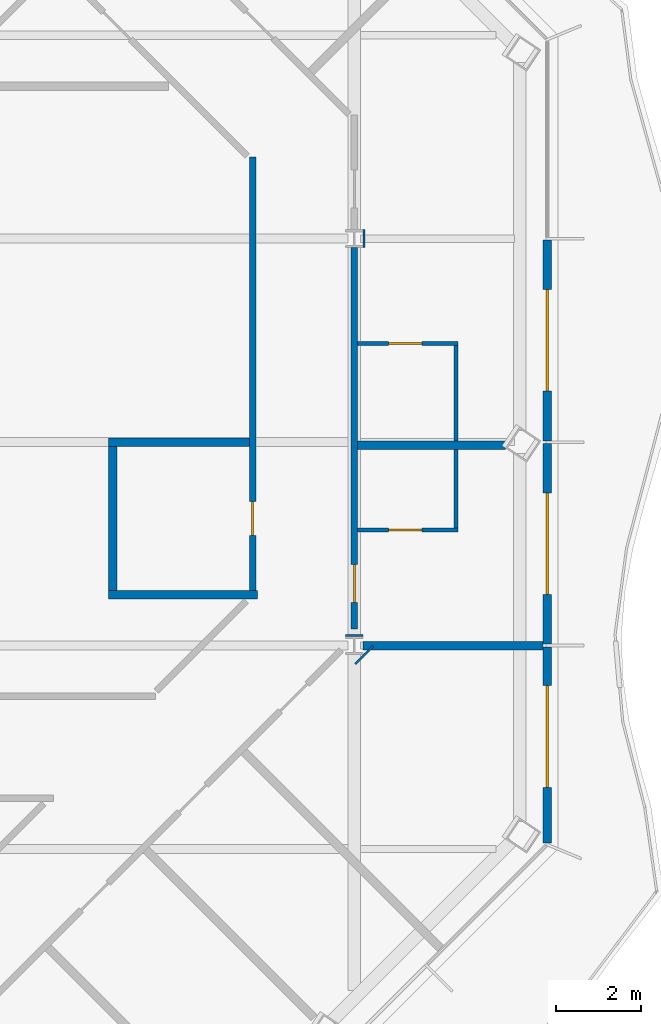
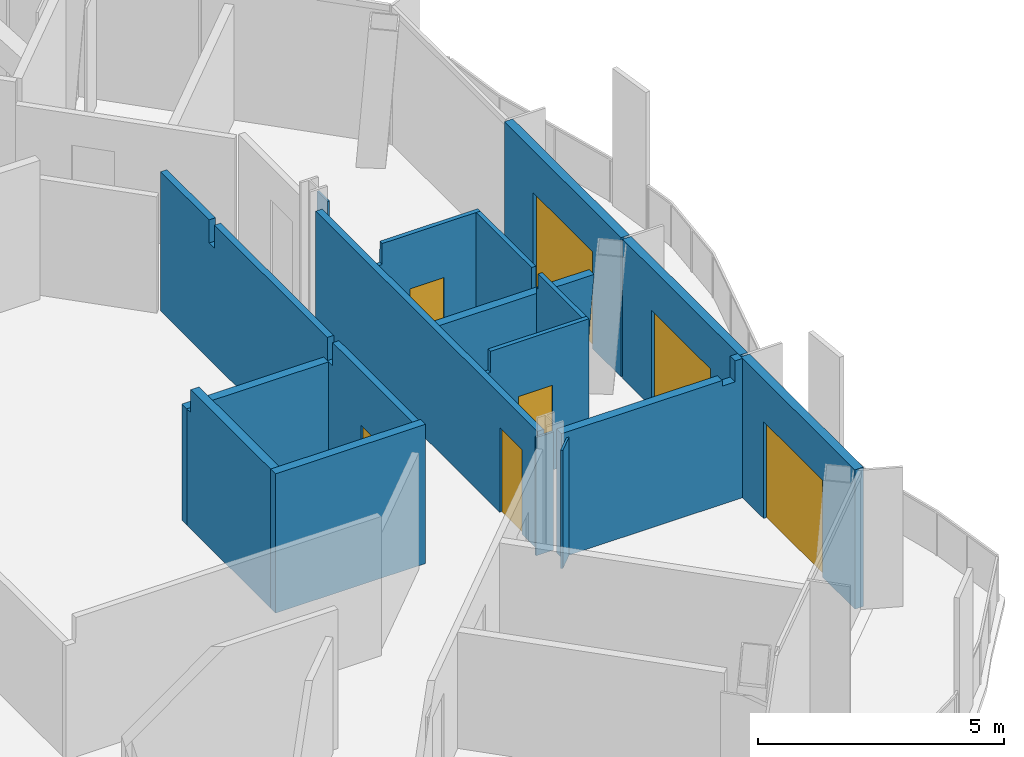
# One storey, part 11 of 21: 17 walls, 7 doors, 7 openings.
"""IFC4 building model written with IfcOpenShell, lengths in metres."""

import ifcopenshell
import ifcopenshell.guid

model = None  # the IFC model being written
_history = None  # IfcOwnerHistory: only IFC2X3 demands one
_inside = {}  # id of a spatial element -> (the spatial element, [elements in it])
_under = {}  # id of a project, library or spatial element -> (it, [spatial elements below it])
_declared = {}  # id of a project -> (the project, [libraries it declares])
_typed = {}  # id of a type object -> (the type object, [elements of that type])
_made_of = {}  # id of a material, layer set ... -> (it, [elements and type objects made of it])


def new_model(schema):
    """Start an empty IFC model of exactly this schema.

    Asked for "IFC4X3", IfcOpenShell would pick the latest addendum, in which some entities
    have other attributes; the version numbers below select the first issue.
    IFC2X3 requires an IfcOwnerHistory on every rooted entity: one is made here for all.
    """
    global model, _history
    if schema == "IFC4X3":
        model = ifcopenshell.file(schema_version=(4, 3, 0, 0))
    else:
        model = ifcopenshell.file(schema=schema)
    _inside.clear()
    _under.clear()
    _declared.clear()
    _typed.clear()
    _made_of.clear()
    _history = None
    if model.schema == "IFC2X3":
        org = make("IfcOrganization", Name="unknown")
        user = make(
            "IfcPersonAndOrganization",
            ThePerson=make("IfcPerson", FamilyName="unknown"),
            TheOrganization=org,
        )
        app = make(
            "IfcApplication",
            ApplicationDeveloper=org,
            Version="unknown",
            ApplicationFullName="unknown",
            ApplicationIdentifier="unknown",
        )
        _history = make(
            "IfcOwnerHistory",
            OwningUser=user,
            OwningApplication=app,
            ChangeAction="ADDED",
            CreationDate=0,
        )
    return model


def make(cls, **values):
    """One entity of the class cls with the attributes given. An attribute that is None is left unset."""
    return model.create_entity(
        cls, **{name: value for name, value in values.items() if value is not None}
    )


def rooted(cls, **values):
    """An entity with a GlobalId (a new one), such as an element, a storey or a relation."""
    return make(cls, GlobalId=ifcopenshell.guid.new(), OwnerHistory=_history, **values)


def si_unit(unit_type, name, prefix=None):
    """IfcSIUnit, for example si_unit("LENGTHUNIT", "METRE", prefix="MILLI")."""
    return make("IfcSIUnit", UnitType=unit_type, Prefix=prefix, Name=name)


def assignment(units):
    """IfcUnitAssignment: the units of a project."""
    return None if units is None else make("IfcUnitAssignment", Units=units)


def point(xyz):
    """IfcCartesianPoint."""
    return None if xyz is None else make("IfcCartesianPoint", Coordinates=xyz)


def direction(xyz):
    """IfcDirection."""
    return None if xyz is None else make("IfcDirection", DirectionRatios=xyz)


def frame(location, z_axis=None, x_axis=None):
    """IfcAxis2Placement3D, a coordinate frame: its origin and axes. An axis left out is left unset."""
    return make(
        "IfcAxis2Placement3D",
        Location=point(location),
        Axis=direction(z_axis),
        RefDirection=direction(x_axis),
    )


def frame_2d(location, x_axis=None):
    """IfcAxis2Placement2D, a coordinate frame in the plane: its origin and x axis."""
    return make(
        "IfcAxis2Placement2D", Location=point(location), RefDirection=direction(x_axis)
    )


def origin():
    """The frame at (0, 0, 0) with its axes left unset."""
    return frame((0.0, 0.0, 0.0))


def place(relative_to, where):
    """IfcLocalPlacement: puts the frame where relative to a parent placement (None: the world)."""
    return make(
        "IfcLocalPlacement", PlacementRelTo=relative_to, RelativePlacement=where
    )


def context(
    kind, dimensions, precision=None, world=None, true_north=None, identifier=None
):
    """IfcGeometricRepresentationContext, for example the 3D "Model" context."""
    return make(
        "IfcGeometricRepresentationContext",
        ContextIdentifier=identifier,
        ContextType=kind,
        CoordinateSpaceDimension=dimensions,
        Precision=precision,
        WorldCoordinateSystem=world,
        TrueNorth=true_north,
    )


def subcontext(parent, identifier, kind, view, scale=None):
    """IfcGeometricRepresentationSubContext, for example "Body" below "Model"."""
    return make(
        "IfcGeometricRepresentationSubContext",
        ContextIdentifier=identifier,
        ContextType=kind,
        ParentContext=parent,
        TargetScale=scale,
        TargetView=view,
    )


def project(units=None, contexts=None):
    """IfcProject with its units and contexts."""
    return rooted(
        "IfcProject",
        Name="project",
        RepresentationContexts=contexts,
        UnitsInContext=assignment(units),
    )


def spatial(cls, under=None, at=None, **own):
    """A site, building, storey or space (cls), placed at a placement, below another one or the project."""
    s = rooted(cls, ObjectPlacement=at, **own)
    if under is not None:
        _under.setdefault(under.id(), (under, []))[1].append(s)
    return s


def polyline(points):
    """IfcPolyline through the points."""
    return make("IfcPolyline", Points=[point(p) for p in points])


def profile(cls, at=None, kind="AREA", **sizes):
    """A parametric profile (cls). Its sizes go by their IFC names, for example OverallWidth=200.0."""
    return make(cls, ProfileType=kind, Position=at, **sizes)


def rectangle(**sizes):
    """IfcRectangleProfileDef."""
    return profile("IfcRectangleProfileDef", **sizes)


def outline(outer, holes=None, kind="AREA"):
    """IfcArbitraryClosedProfileDef: a profile drawn as a closed curve; with holes, ...WithVoids."""
    if holes is None:
        return make("IfcArbitraryClosedProfileDef", ProfileType=kind, OuterCurve=outer)
    return make(
        "IfcArbitraryProfileDefWithVoids",
        ProfileType=kind,
        OuterCurve=outer,
        InnerCurves=holes,
    )


def extrude(swept, where, along, depth):
    """IfcExtrudedAreaSolid: the profile swept, set in the frame where, extruded along a direction by depth."""
    return make(
        "IfcExtrudedAreaSolid",
        SweptArea=swept,
        Position=where,
        ExtrudedDirection=direction(along),
        Depth=depth,
    )


def shape(context_of_items, identifier, shape_type, items):
    """IfcShapeRepresentation: the items that make up one representation, for example the "Body"."""
    return make(
        "IfcShapeRepresentation",
        ContextOfItems=context_of_items,
        RepresentationIdentifier=identifier,
        RepresentationType=shape_type,
        Items=items,
    )


def material(Name=None, Category=None):
    """IfcMaterial."""
    return make("IfcMaterial", Name=Name, Category=Category)


def layer(
    of_material, thickness, ventilated=None, Name=None, Category=None, Priority=None
):
    """IfcMaterialLayer: one layer of a wall or slab, of a material (None: an air gap)."""
    return make(
        "IfcMaterialLayer",
        Material=of_material,
        LayerThickness=thickness,
        IsVentilated=ventilated,
        Name=Name,
        Category=Category,
        Priority=Priority,
    )


def layer_set(layers, Name=None):
    """IfcMaterialLayerSet."""
    return make("IfcMaterialLayerSet", MaterialLayers=layers, LayerSetName=Name)


def made_of(thing, what):
    """Note that an element or type object is made of a material, layer set ...; save() writes the relation."""
    if what is not None:
        _made_of.setdefault(what.id(), (what, []))[1].append(thing)
    return thing


def type_object(cls, material=None, **own):
    """A type object (cls), such as IfcWallType, which elements share."""
    return made_of(rooted(cls, **own), material)


def element(
    cls,
    number,
    at=None,
    inside=None,
    cuts=None,
    type_object=None,
    material=None,
    context=None,
    identifier="Body",
    shape_type=None,
    held_by="IfcProductDefinitionShape",
    body=None,
    shapes=None,
    **own,
):
    """One element of the class cls, such as IfcWall. Its Tag is "e" and its number.

    at: its placement. inside: the storey or other place that contains it. cuts: it is an
    opening in that element (IfcRelVoidsElement). A single representation is given by context,
    identifier, shape_type and body (its items); several are given by shapes. held_by: the class
    of the entity that holds the representations. save() writes the other relations.
    """
    e = rooted(cls, Tag="e%d" % number, ObjectPlacement=at, **own)
    if body is not None:
        shapes = [shape(context, identifier, shape_type, body)]
    if shapes is not None:
        e.Representation = make(held_by, Representations=shapes)
    if inside is not None:
        _inside.setdefault(inside.id(), (inside, []))[1].append(e)
    if cuts is not None:
        rooted(
            "IfcRelVoidsElement", RelatingBuildingElement=cuts, RelatedOpeningElement=e
        )
    if type_object is not None:
        _typed.setdefault(type_object.id(), (type_object, []))[1].append(e)
    return made_of(e, material)


def fill(opening, filler):
    """IfcRelFillsElement: the door or window that sits in an opening."""
    return rooted(
        "IfcRelFillsElement",
        RelatingOpeningElement=opening,
        RelatedBuildingElement=filler,
    )


def aggregate(whole, parts):
    """IfcRelAggregates: a whole, such as a stair, and the parts it consists of."""
    return rooted("IfcRelAggregates", RelatingObject=whole, RelatedObjects=parts)


def save(model, path):
    """Write the relations noted so far, then the file.

    IfcRelAggregates (storeys below a building ...), IfcRelContainedInSpatialStructure (elements
    in a storey), IfcRelDefinesByType, IfcRelAssociatesMaterial and IfcRelDeclares: one each for
    every whole, place, type object, material and project.
    """
    for whole, parts in _under.values():
        aggregate(whole, parts)
    for where, things in _inside.values():
        rooted(
            "IfcRelContainedInSpatialStructure",
            RelatedElements=things,
            RelatingStructure=where,
        )
    for kind, things in _typed.values():
        rooted("IfcRelDefinesByType", RelatedObjects=things, RelatingType=kind)
    for what, things in _made_of.values():
        rooted("IfcRelAssociatesMaterial", RelatedObjects=things, RelatingMaterial=what)
    for by, libraries in _declared.values():
        rooted("IfcRelDeclares", RelatingContext=by, RelatedDefinitions=libraries)
    model.write(path)


model = new_model("IFC4")

# Units and contexts
model_context = context("Model", 3, precision=1e-05, world=origin(), true_north=direction((0.0, 1.0)))
body_context = subcontext(model_context, "Body", "Model", "MODEL_VIEW")
ifc_project = project(units=[si_unit("LENGTHUNIT", "METRE"), si_unit("AREAUNIT", "SQUARE_METRE"), si_unit("VOLUMEUNIT", "CUBIC_METRE"), si_unit("PLANEANGLEUNIT", "RADIAN"), si_unit("MASSUNIT", "GRAM", prefix="KILO")], contexts=[model_context])

# Site, building, storey
site_placement = place(None, origin())
site = spatial("IfcSite", under=ifc_project, at=site_placement, CompositionType="ELEMENT")
building_placement = place(site_placement, origin())
building = spatial("IfcBuilding", under=site, at=building_placement, Name="Cairn Pilgrim Tower", CompositionType="ELEMENT")
storey_placement = place(building_placement, frame((0.0, 0.0, 172.199951171875)))
storey = spatial("IfcBuildingStorey", under=building, at=storey_placement, Name="L43", CompositionType="ELEMENT", Elevation=172.199951171875)

# Wall, opening, door
ifc_material_1 = material(Name="Bronze anodised aluminium insulated sandwich panel with mineral wool fill", Category="aluminium")
ifc_layer_1 = layer(ifc_material_1, 0.199951171875)
ifc_layer_set_1 = layer_set([ifc_layer_1], Name="BRONZE INFILL FRAME WALL 200")
wall_type_1 = type_object("IfcWallType", Name="BRONZE INFILL FRAME WALL 200", PredefinedType="NOTDEFINED", material=ifc_layer_set_1)
wall_1_placement = place(storey_placement, frame((35.75, -4.656494140625, 0.0), z_axis=(0.0, 0.0, 1.0), x_axis=(0.0, 1.0, 0.0)))
wall_1 = element("IfcWall", 1, at=wall_1_placement, inside=storey, type_object=wall_type_1, Name="Bronze infill frame wall IW-E1", PredefinedType="NOTDEFINED", context=body_context, shape_type="SweptSolid", body=[
    extrude(rectangle(XDim=4.62646484375, YDim=0.199951171875, at=frame_2d((2.313232421875, 0.0))), origin(), (0.0, 0.0, 1.0), 3.449951171875),
])
opening_1_placement = place(wall_1_placement, frame((1.308349609375, 0.0, 0.0)))
opening_1 = element("IfcOpeningElement", 2, at=opening_1_placement, cuts=wall_1, Name="Opening 4307B", PredefinedType="OPENING", context=body_context, shape_type="SweptSolid", body=[
    extrude(rectangle(XDim=2.39990234375, YDim=2.39990234375, at=frame_2d((1.199951171875, 1.199951171875))), frame((0.0, 0.10986328125, 0.0), z_axis=(0.0, -1.0, 0.0), x_axis=(1.0, 0.0, 0.0)), (0.0, 0.0, 1.0), 0.219970703125),
])
ifc_material_2 = material(Name="Bronze anodised aluminium frame with tinted low-E glass", Category="aluminium")
door_type_1 = type_object("IfcDoorType", Name="BALCONY SLIDING DOOR 2400x2400", OperationType="DOUBLE_DOOR_SLIDING", PredefinedType="DOOR", material=ifc_material_2)
door_1_placement = place(opening_1_placement, origin())
door_1 = element("IfcDoor", 3, at=door_1_placement, inside=storey, type_object=door_type_1, Name="Balcony sliding door 4307B", OperationType="SINGLE_SWING_LEFT", OverallHeight=2.39990234375, OverallWidth=2.39990234375, PredefinedType="DOOR", context=body_context, shape_type="SweptSolid", body=[
    extrude(rectangle(XDim=2.39990234375, YDim=2.39990234375, at=frame_2d((1.199951171875, 1.199951171875))), frame((0.0, 0.02490234375, 0.0), z_axis=(0.0, -1.0, 0.0), x_axis=(1.0, 0.0, 0.0)), (0.0, 0.0, 1.0), 0.050048828125),
])
fill(opening_1, door_1)

wall_2_placement = place(storey_placement, frame((35.75, 0.030029296875, 0.0), z_axis=(0.0, 0.0, 1.0), x_axis=(0.0, 1.0, 0.0)))
wall_2 = element("IfcWall", 4, at=wall_2_placement, inside=storey, type_object=wall_type_1, Name="Bronze infill frame wall IW-E2", PredefinedType="NOTDEFINED", context=body_context, shape_type="SweptSolid", body=[
    extrude(rectangle(XDim=4.739990234375, YDim=0.199951171875, at=frame_2d((2.3701171875, 0.0))), origin(), (0.0, 0.0, 1.0), 3.449951171875),
])
opening_2_placement = place(wall_2_placement, frame((1.169921875, 0.0, 0.0)))
opening_2 = element("IfcOpeningElement", 5, at=opening_2_placement, cuts=wall_2, Name="Opening 4308B", PredefinedType="OPENING", context=body_context, shape_type="SweptSolid", body=[
    extrude(rectangle(XDim=2.39990234375, YDim=2.39990234375, at=frame_2d((1.199951171875, 1.199951171875))), frame((0.0, 0.10986328125, 0.0), z_axis=(0.0, -1.0, 0.0), x_axis=(1.0, 0.0, 0.0)), (0.0, 0.0, 1.0), 0.219970703125),
])
door_2_placement = place(opening_2_placement, origin())
door_2 = element("IfcDoor", 6, at=door_2_placement, inside=storey, type_object=door_type_1, Name="Balcony sliding door 4308B", OperationType="SINGLE_SWING_LEFT", OverallHeight=2.39990234375, OverallWidth=2.39990234375, PredefinedType="DOOR", context=body_context, shape_type="SweptSolid", body=[
    extrude(rectangle(XDim=2.39990234375, YDim=2.39990234375, at=frame_2d((1.199951171875, 1.199951171875))), frame((0.0, 0.02490234375, 0.0), z_axis=(0.0, -1.0, 0.0), x_axis=(1.0, 0.0, 0.0)), (0.0, 0.0, 1.0), 0.050048828125),
])
fill(opening_2, door_2)

wall_3_placement = place(storey_placement, frame((35.75, 4.830078125, 0.0), z_axis=(0.0, 0.0, 1.0), x_axis=(0.0, 1.0, 0.0)))
wall_3 = element("IfcWall", 7, at=wall_3_placement, inside=storey, type_object=wall_type_1, Name="Bronze infill frame wall IW-E3", PredefinedType="NOTDEFINED", context=body_context, shape_type="SweptSolid", body=[
    extrude(rectangle(XDim=4.739990234375, YDim=0.199951171875, at=frame_2d((2.3701171875, 0.0))), origin(), (0.0, 0.0, 1.0), 3.449951171875),
])
opening_3_placement = place(wall_3_placement, frame((1.169921875, 0.0, 0.0)))
opening_3 = element("IfcOpeningElement", 8, at=opening_3_placement, cuts=wall_3, Name="Opening 4309B", PredefinedType="OPENING", context=body_context, shape_type="SweptSolid", body=[
    extrude(rectangle(XDim=2.39990234375, YDim=2.39990234375, at=frame_2d((1.199951171875, 1.199951171875))), frame((0.0, 0.10986328125, 0.0), z_axis=(0.0, -1.0, 0.0), x_axis=(1.0, 0.0, 0.0)), (0.0, 0.0, 1.0), 0.219970703125),
])
door_3_placement = place(opening_3_placement, origin())
door_3 = element("IfcDoor", 9, at=door_3_placement, inside=storey, type_object=door_type_1, Name="Balcony sliding door 4309B", OperationType="SINGLE_SWING_LEFT", OverallHeight=2.39990234375, OverallWidth=2.39990234375, PredefinedType="DOOR", context=body_context, shape_type="SweptSolid", body=[
    extrude(rectangle(XDim=2.39990234375, YDim=2.39990234375, at=frame_2d((1.199951171875, 1.199951171875))), frame((0.0, 0.02490234375, 0.0), z_axis=(0.0, -1.0, 0.0), x_axis=(1.0, 0.0, 0.0)), (0.0, 0.0, 1.0), 0.050048828125),
])
fill(opening_3, door_3)

ifc_material_3 = material(Name="Gypsum partition")
ifc_layer_2 = layer(ifc_material_3, 0.10009765625)
ifc_layer_set_2 = layer_set([ifc_layer_2], Name="PARTITION 100 DRYWALL")
wall_type_2 = type_object("IfcWallType", Name="PARTITION 100 DRYWALL", PredefinedType="PARTITIONING", material=ifc_layer_set_2)
wall_4_placement = place(storey_placement, frame((31.27490234375, 2.72509765625, 0.0), z_axis=(0.0, 0.0, 1.0), x_axis=(1.0, 0.0, 0.0)))
wall_4 = element("IfcWall", 10, at=wall_4_placement, inside=storey, type_object=wall_type_2, Name="PARTITION W063", PredefinedType="PARTITIONING", context=body_context, shape_type="SweptSolid", body=[
    extrude(outline(polyline([(0.0, 0.0), (2.375, 0.0), (2.375, 3.449951171875), (0.074951171875, 3.449951171875), (0.072998046875, 2.929931640625), (0.0, 2.929931640625), (0.0, 0.0)])), frame((0.0, 0.050048828125, 0.0), z_axis=(0.0, -1.0, 0.0), x_axis=(1.0, 0.0, 0.0)), (0.0, 0.0, 1.0), 0.10009765625),
])
opening_4_placement = place(wall_4_placement, frame((0.72509765625, 0.0, 0.0)))
opening_4 = element("IfcOpeningElement", 11, at=opening_4_placement, cuts=wall_4, Name="Opening 4308A", PredefinedType="OPENING", context=body_context, shape_type="SweptSolid", body=[
    extrude(rectangle(XDim=0.800048828125, YDim=2.10009765625, at=frame_2d((0.39990234375, 1.050048828125))), frame((0.0, 0.06005859375, 0.0), z_axis=(0.0, -1.0, 0.0), x_axis=(1.0, 0.0, 0.0)), (0.0, 0.0, 1.0), 0.1201171875),
])
ifc_material_4 = material(Name="Timber door leaf", Category="wood")
door_type_2 = type_object("IfcDoorType", Name="WC DOOR 800x2100", OperationType="NOTDEFINED", PredefinedType="DOOR", material=ifc_material_4)
door_4_placement = place(opening_4_placement, frame((0.800048828125, 0.0, 0.0), z_axis=(0.0, 0.0, 1.0), x_axis=(-1.0, 0.0, 0.0)))
door_4 = element("IfcDoor", 12, at=door_4_placement, inside=storey, type_object=door_type_2, Name="DOOR 4308A", OperationType="SINGLE_SWING_RIGHT", OverallHeight=2.10009765625, OverallWidth=0.800048828125, PredefinedType="DOOR", context=body_context, shape_type="SweptSolid", body=[
    extrude(rectangle(XDim=0.800048828125, YDim=2.10009765625, at=frame_2d((0.39990234375, 1.050048828125))), frame((0.0, 0.02490234375, 0.0), z_axis=(0.0, -1.0, 0.0), x_axis=(1.0, 0.0, 0.0)), (0.0, 0.0, 1.0), 0.050048828125),
])
fill(opening_4, door_4)

# Walls
wall_5_placement = place(storey_placement, frame((33.60009765625, 2.77490234375, 0.0), z_axis=(0.0, 0.0, 1.0), x_axis=(0.0, 1.0, 0.0)))
element("IfcWall", 13, at=wall_5_placement, inside=storey, type_object=wall_type_2, Name="PARTITION W064", PredefinedType="PARTITIONING", context=body_context, shape_type="SweptSolid", body=[
    extrude(outline(polyline([(0.0, 0.0), (1.85009765625, 0.0), (1.85009765625, 3.070068359375), (1.7900390625, 3.070068359375), (1.7880859375, 3.449951171875), (0.0, 3.449951171875), (0.0, 0.0)])), frame((0.0, 0.050048828125, 0.0), z_axis=(0.0, -1.0, 0.0), x_axis=(1.0, 0.0, 0.0)), (0.0, 0.0, 1.0), 0.10009765625),
])
wall_6_placement = place(storey_placement, frame((33.60009765625, 4.824951171875, 0.0), z_axis=(0.0, 0.0, 1.0), x_axis=(0.0, 1.0, 0.0)))
element("IfcWall", 14, at=wall_6_placement, inside=storey, type_object=wall_type_2, Name="PARTITION W070", PredefinedType="PARTITIONING", context=body_context, shape_type="SweptSolid", body=[
    extrude(rectangle(XDim=2.25, YDim=0.10009765625, at=frame_2d((1.125, 0.0))), origin(), (0.0, 0.0, 1.0), 3.449951171875),
])

# Wall, opening, door
wall_7_placement = place(storey_placement, frame((31.27490234375, 7.125, 0.0), z_axis=(0.0, 0.0, 1.0), x_axis=(1.0, 0.0, 0.0)))
wall_7 = element("IfcWall", 15, at=wall_7_placement, inside=storey, type_object=wall_type_2, Name="PARTITION W072", PredefinedType="PARTITIONING", context=body_context, shape_type="SweptSolid", body=[
    extrude(outline(polyline([(0.0, 0.0), (2.375, 0.0), (2.375, 3.449951171875), (0.074951171875, 3.449951171875), (0.072998046875, 2.929931640625), (0.0, 2.929931640625), (0.0, 0.0)])), frame((0.0, 0.050048828125, 0.0), z_axis=(0.0, -1.0, 0.0), x_axis=(1.0, 0.0, 0.0)), (0.0, 0.0, 1.0), 0.10009765625),
])
opening_5_placement = place(wall_7_placement, frame((0.72509765625, 0.0, 0.0)))
opening_5 = element("IfcOpeningElement", 16, at=opening_5_placement, cuts=wall_7, Name="Opening 4309A", PredefinedType="OPENING", context=body_context, shape_type="SweptSolid", body=[
    extrude(rectangle(XDim=0.800048828125, YDim=2.10009765625, at=frame_2d((0.39990234375, 1.050048828125))), frame((0.0, 0.06005859375, 0.0), z_axis=(0.0, -1.0, 0.0), x_axis=(1.0, 0.0, 0.0)), (0.0, 0.0, 1.0), 0.1201171875),
])
door_5_placement = place(opening_5_placement, origin())
door_5 = element("IfcDoor", 17, at=door_5_placement, inside=storey, type_object=door_type_2, Name="DOOR 4309A", OperationType="SINGLE_SWING_RIGHT", OverallHeight=2.10009765625, OverallWidth=0.800048828125, PredefinedType="DOOR", context=body_context, shape_type="SweptSolid", body=[
    extrude(rectangle(XDim=0.800048828125, YDim=2.10009765625, at=frame_2d((0.39990234375, 1.050048828125))), frame((0.0, 0.02490234375, 0.0), z_axis=(0.0, -1.0, 0.0), x_axis=(1.0, 0.0, 0.0)), (0.0, 0.0, 1.0), 0.050048828125),
])
fill(opening_5, door_5)

ifc_layer_3 = layer(ifc_material_3, 0.14990234375)
ifc_layer_set_3 = layer_set([ifc_layer_3], Name="PARTITION 150 DRYWALL EI 60")
wall_type_3 = type_object("IfcWallType", Name="PARTITION 150 DRYWALL EI 60", PredefinedType="PARTITIONING", material=ifc_layer_set_3)
wall_8_placement = place(storey_placement, frame((31.199951171875, 0.38720703125, 0.0), z_axis=(0.0, 0.0, 1.0), x_axis=(0.0, 1.0, 0.0)))
wall_8 = element("IfcWall", 18, at=wall_8_placement, inside=storey, type_object=wall_type_3, Name="PARTITION W054", PredefinedType="PARTITIONING", context=body_context, shape_type="SweptSolid", body=[
    extrude(rectangle(XDim=9.000244140625, YDim=0.14990234375, at=frame_2d((4.5, 0.0))), origin(), (0.0, 0.0, 1.0), 2.929931640625),
])
opening_6_placement = place(wall_8_placement, frame((0.6279296875, 0.0, 0.0)))
opening_6 = element("IfcOpeningElement", 19, at=opening_6_placement, cuts=wall_8, Name="Opening 4308", PredefinedType="OPENING", context=body_context, shape_type="SweptSolid", body=[
    extrude(rectangle(XDim=0.89990234375, YDim=2.10009765625, at=frame_2d((0.449951171875, 1.050048828125))), frame((0.0, 0.0849609375, 0.0), z_axis=(0.0, -1.0, 0.0), x_axis=(1.0, 0.0, 0.0)), (0.0, 0.0, 1.0), 0.169921875),
])
door_type_3 = type_object("IfcDoorType", Name="ROOM DOOR 900x2100 FD30S", OperationType="NOTDEFINED", PredefinedType="DOOR", material=ifc_material_4)
door_6_placement = place(opening_6_placement, frame((0.89990234375, 0.0, 0.0), z_axis=(0.0, 0.0, 1.0), x_axis=(-1.0, 0.0, 0.0)))
door_6 = element("IfcDoor", 20, at=door_6_placement, inside=storey, type_object=door_type_3, Name="DOOR 4308", OperationType="SINGLE_SWING_RIGHT", OverallHeight=2.10009765625, OverallWidth=0.89990234375, PredefinedType="DOOR", context=body_context, shape_type="SweptSolid", body=[
    extrude(rectangle(XDim=0.89990234375, YDim=2.10009765625, at=frame_2d((0.449951171875, 1.050048828125))), frame((0.0, 0.02490234375, 0.0), z_axis=(0.0, -1.0, 0.0), x_axis=(1.0, 0.0, 0.0)), (0.0, 0.0, 1.0), 0.050048828125),
])
fill(opening_6, door_6)

wall_9_placement = place(storey_placement, frame((28.800048828125, 1.300048828125, 0.0), z_axis=(0.0, 0.0, 1.0), x_axis=(0.0, 1.0, 0.0)))
wall_9 = element("IfcWall", 21, at=wall_9_placement, inside=storey, type_object=wall_type_3, Name="PARTITION W058", PredefinedType="PARTITIONING", context=body_context, shape_type="SweptSolid", body=[
    extrude(outline(polyline([(0.0, 0.0), (10.22412109375, 0.0), (10.22412109375, 3.449951171875), (8.2548828125, 3.449951171875), (8.2529296875, 2.880126953125), (8.044921875, 2.880126953125), (8.04296875, 3.449951171875), (3.455078125, 3.449951171875), (3.452880859375, 2.880126953125), (3.2451171875, 2.880126953125), (3.242919921875, 3.449951171875), (0.0, 3.449951171875), (0.0, 0.0)])), frame((0.0, 0.074951171875, 0.0), z_axis=(0.0, -1.0, 0.0), x_axis=(1.0, 0.0, 0.0)), (0.0, 0.0, 1.0), 0.14990234375),
])
opening_7_placement = place(wall_9_placement, frame((1.300048828125, 0.0, 0.0)))
opening_7 = element("IfcOpeningElement", 22, at=opening_7_placement, cuts=wall_9, Name="Opening 4327", PredefinedType="OPENING", context=body_context, shape_type="SweptSolid", body=[
    extrude(rectangle(XDim=0.800048828125, YDim=2.10009765625, at=frame_2d((0.39990234375, 1.050048828125))), frame((0.0, 0.0849609375, 0.0), z_axis=(0.0, -1.0, 0.0), x_axis=(1.0, 0.0, 0.0)), (0.0, 0.0, 1.0), 0.169921875),
])
door_type_4 = type_object("IfcDoorType", Name="WC DOOR 800x2100 FD30S", OperationType="NOTDEFINED", PredefinedType="DOOR", material=ifc_material_4)
door_7_placement = place(opening_7_placement, origin())
door_7 = element("IfcDoor", 23, at=door_7_placement, inside=storey, type_object=door_type_4, Name="DOOR 4327", OperationType="SINGLE_SWING_RIGHT", OverallHeight=2.10009765625, OverallWidth=0.800048828125, PredefinedType="DOOR", context=body_context, shape_type="SweptSolid", body=[
    extrude(rectangle(XDim=0.800048828125, YDim=2.10009765625, at=frame_2d((0.39990234375, 1.050048828125))), frame((0.0, 0.02490234375, 0.0), z_axis=(0.0, -1.0, 0.0), x_axis=(1.0, 0.0, 0.0)), (0.0, 0.0, 1.0), 0.050048828125),
])
fill(opening_7, door_7)

# Walls
ifc_layer_4 = layer(ifc_material_3, 0.050048828125)
ifc_layer_set_4 = layer_set([ifc_layer_4], Name="PARTITION 50 DRYWALL EI 60")
wall_type_4 = type_object("IfcWallType", Name="PARTITION 50 DRYWALL EI 60", PredefinedType="PARTITIONING", material=ifc_layer_set_4)
wall_10_placement = place(storey_placement, frame((31.2177734375, -0.434814453125, 0.0), z_axis=(0.0, 0.0, 1.0), x_axis=(0.706899813022, 0.70731368879, 0.0)))
element("IfcWall", 24, at=wall_10_placement, inside=storey, type_object=wall_type_4, Name="COLUMN CASING WC13", PredefinedType="PARTITIONING", context=body_context, shape_type="SweptSolid", body=[
    extrude(rectangle(XDim=0.58984375, YDim=0.050048828125, at=frame_2d((0.294921875, 0.0))), origin(), (0.0, 0.0, 1.0), 2.929931640625),
])
wall_11_placement = place(storey_placement, frame((30.99560546875, 0.237548828125, 0.0), z_axis=(0.0, 0.0, 1.0), x_axis=(1.0, 0.0, 0.0)))
element("IfcWall", 25, at=wall_11_placement, inside=storey, type_object=wall_type_4, Name="COLUMN CASING WC18", PredefinedType="PARTITIONING", context=body_context, shape_type="SweptSolid", body=[
    extrude(rectangle(XDim=0.408935546875, YDim=0.050048828125, at=frame_2d((0.20458984375, 0.0))), origin(), (0.0, 0.0, 1.0), 2.929931640625),
])
wall_12_placement = place(storey_placement, frame((31.429443359375, 9.387451171875, 0.0), z_axis=(0.0, 0.0, 1.0), x_axis=(0.0, 1.0, 0.0)))
element("IfcWall", 26, at=wall_12_placement, inside=storey, type_object=wall_type_4, Name="COLUMN CASING WC19", PredefinedType="PARTITIONING", context=body_context, shape_type="SweptSolid", body=[
    extrude(rectangle(XDim=0.425048828125, YDim=0.050048828125, at=frame_2d((0.21240234375, 0.0))), origin(), (0.0, 0.0, 1.0), 3.070068359375),
])
ifc_layer_5 = layer(ifc_material_3, 0.199951171875)
ifc_layer_set_5 = layer_set([ifc_layer_5], Name="SHAFT WALL 200 GYPSUM EI 60")
wall_type_5 = type_object("IfcWallType", Name="SHAFT WALL 200 GYPSUM EI 60", PredefinedType="PARTITIONING", material=ifc_layer_set_5)
wall_13_placement = place(storey_placement, frame((31.404541015625, 0.0, 0.0), z_axis=(0.0, 0.0, 1.0), x_axis=(1.0, 0.0, 0.0)))
element("IfcWall", 27, at=wall_13_placement, inside=storey, type_object=wall_type_5, Name="PARTITION W050", PredefinedType="PARTITIONING", context=body_context, shape_type="SweptSolid", body=[
    extrude(outline(polyline([(0.0, 0.0), (4.245361328125, 0.0), (4.24560546875, 3.449951171875), (4.070556640625, 3.449951171875), (4.068603515625, 2.929931640625), (3.7705078125, 2.929931640625), (3.7685546875, 3.070068359375), (0.0, 3.070068359375), (0.0, 0.0)])), frame((0.0, 0.10009765625, 0.0), z_axis=(0.0, -1.0, 0.0), x_axis=(1.0, 0.0, 0.0)), (0.0, 0.0, 1.0), 0.199951171875),
])
wall_14_placement = place(storey_placement, frame((25.39990234375, 1.199951171875, 0.0), z_axis=(0.0, 0.0, 1.0), x_axis=(1.0, 0.0, 0.0)))
element("IfcWall", 28, at=wall_14_placement, inside=storey, type_object=wall_type_5, Name="PARTITION W056", PredefinedType="PARTITIONING", context=body_context, shape_type="SweptSolid", body=[
    extrude(rectangle(XDim=3.5166015625, YDim=0.199951171875, at=frame_2d((1.75830078125, 0.0))), origin(), (0.0, 0.0, 1.0), 3.449951171875),
])
wall_15_placement = place(storey_placement, frame((25.5, 1.300048828125, 0.0), z_axis=(0.0, 0.0, 1.0), x_axis=(0.0, 1.0, 0.0)))
element("IfcWall", 29, at=wall_15_placement, inside=storey, type_object=wall_type_5, Name="PARTITION W057", PredefinedType="PARTITIONING", context=body_context, shape_type="SweptSolid", body=[
    extrude(outline(polyline([(0.0, 0.0), (3.39990234375, 0.0), (3.39990234375, 2.880126953125), (3.2451171875, 2.880126953125), (3.242919921875, 3.449951171875), (0.0, 3.449951171875), (0.0, 0.0)])), frame((0.0, 0.10009765625, 0.0), z_axis=(0.0, -1.0, 0.0), x_axis=(1.0, 0.0, 0.0)), (0.0, 0.0, 1.0), 0.199951171875),
])
wall_16_placement = place(storey_placement, frame((31.27490234375, 4.72509765625, 0.0), z_axis=(0.0, 0.0, 1.0), x_axis=(1.0, 0.0, 0.0)))
element("IfcWall", 30, at=wall_16_placement, inside=storey, type_object=wall_type_5, Name="PARTITION W067", PredefinedType="PARTITIONING", context=body_context, shape_type="SweptSolid", body=[
    extrude(outline(polyline([(0.0, 0.0), (3.417724609375, 0.0), (3.4716796875, 0.862548828125), (3.525390625, 1.72509765625), (3.593994140625, 2.587646484375), (3.625, 2.929931640625), (0.0, 2.929931640625), (0.0, 2.587646484375), (0.0, 1.72509765625), (0.0, 0.862548828125), (0.0, 0.0)])), frame((0.0, 0.10009765625, 0.0), z_axis=(0.0, -1.0, 0.0), x_axis=(1.0, 0.0, 0.0)), (0.0, 0.0, 1.0), 0.199951171875),
])
wall_17_placement = place(storey_placement, frame((25.39990234375, 4.800048828125, 0.0), z_axis=(0.0, 0.0, 1.0), x_axis=(1.0, 0.0, 0.0)))
element("IfcWall", 31, at=wall_17_placement, inside=storey, type_object=wall_type_5, Name="PARTITION W069", PredefinedType="PARTITIONING", context=body_context, shape_type="SweptSolid", body=[
    extrude(rectangle(XDim=3.3251953125, YDim=0.199951171875, at=frame_2d((1.66259765625, 0.0))), origin(), (0.0, 0.0, 1.0), 2.880126953125),
])

save(model, "model.ifc")
